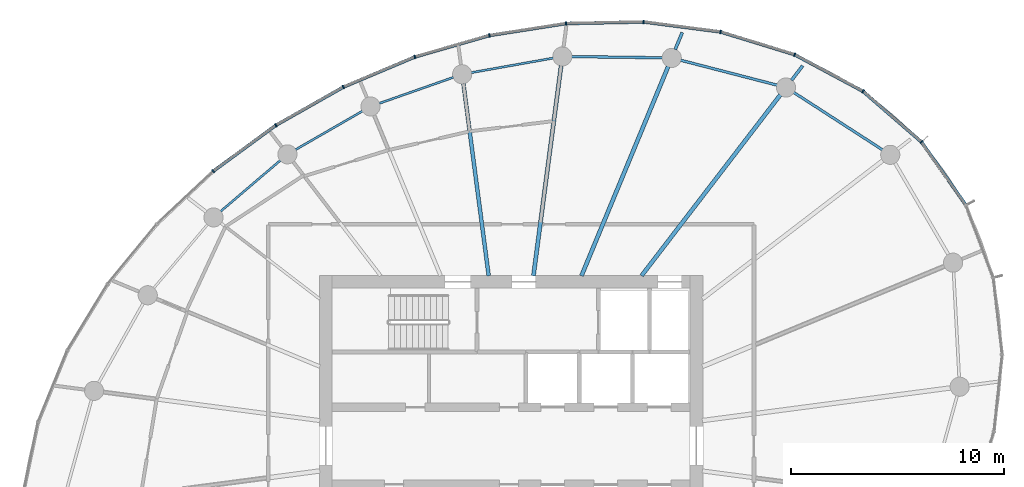
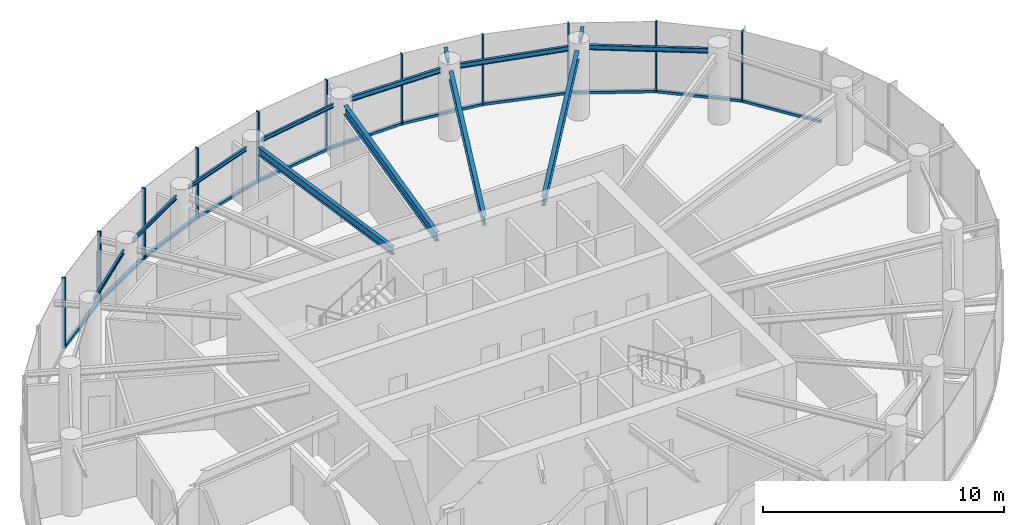
# One storey, part 6 of 13: 22 members, 13 beams, 2 elements without a shape of their own.
"""IFC4 building model written with IfcOpenShell, lengths in metres."""

from ifc_helpers import new_model, si_unit, direction, frame, origin, origin_2d, place, context, subcontext, project, spatial, rectangle, i_section, extrude, source, transform, mapped, material, layer, layer_set, material_profile, profile_set, type_object, element, aggregate, save


model = new_model("IFC4")

# Units and contexts
model_context = context("Model", 3, precision=1e-05, world=origin(), true_north=direction((0.0, 1.0)))
body_context = subcontext(model_context, "Body", "Model", "MODEL_VIEW")
ifc_project = project(units=[si_unit("LENGTHUNIT", "METRE"), si_unit("AREAUNIT", "SQUARE_METRE"), si_unit("VOLUMEUNIT", "CUBIC_METRE"), si_unit("PLANEANGLEUNIT", "RADIAN"), si_unit("MASSUNIT", "GRAM", prefix="KILO")], contexts=[model_context])

# Site, building, storey
site_placement = place(None, origin())
site = spatial("IfcSite", under=ifc_project, at=site_placement, CompositionType="ELEMENT")
building_placement = place(site_placement, origin())
building = spatial("IfcBuilding", under=site, at=building_placement, Name="Spindrift Exchange Tower", CompositionType="ELEMENT")
storey_placement = place(building_placement, frame((0.0, 0.0, 222.800048828125)))
storey = spatial("IfcBuildingStorey", under=building, at=storey_placement, Name="L54", CompositionType="ELEMENT", Elevation=222.800048828125)

# Beams
ifc_material_1 = material(Name="Steel Grade 300", Category="steel")
ifc_material_profile_1 = material_profile(ifc_material_1, i_section(OverallWidth=0.18994140625, OverallDepth=0.4541015625, WebThickness=0.008544921875, FlangeThickness=0.0126953125, FilletRadius=0.013916015625, at=origin_2d()), Name="460UB67.1")
ifc_profile_set_1 = profile_set([ifc_material_profile_1], Name="Steel Grade 300")
beam_type_1 = type_object("IfcBeamType", Name="Floor Beam 460UB67.1 Steel Grade 300", PredefinedType="BEAM", material=ifc_profile_set_1)
shared_shape_1 = source(origin(), body_context, "Body", "SweptSolid", [
    extrude(i_section(OverallWidth=0.18994140625, OverallDepth=0.4541015625, WebThickness=0.008544921875, FlangeThickness=0.0126953125, FilletRadius=0.013916015625, at=origin_2d()), origin(), (0.0, 0.0, 1.0), 10.711181640625),
])
beam_1_placement = place(storey_placement, frame((58.12646484375, 55.984130859375, 3.35302734375), z_axis=(0.608756401092, 0.793357198322, 0.0), x_axis=(-0.793357198322, 0.608756401092, 0.0)))
element("IfcBeam", 1, at=beam_1_placement, inside=storey, type_object=beam_type_1, Name="L54 radial beam R04A", PredefinedType="BEAM", context=body_context, shape_type="MappedRepresentation", body=[
    mapped(shared_shape_1, transform((0.0, 0.0, 0.0), scale=1.0)),
])
shared_shape_2 = source(origin(), body_context, "Body", "SweptSolid", [
    extrude(i_section(OverallWidth=0.18994140625, OverallDepth=0.4541015625, WebThickness=0.008544921875, FlangeThickness=0.0126953125, FilletRadius=0.013916015625, at=origin_2d()), origin(), (0.0, 0.0, 1.0), 10.64111328125),
])
beam_2_placement = place(storey_placement, frame((55.30615234375, 55.9814453125, 3.35302734375), z_axis=(0.382672627597, 0.923884007919, 0.0), x_axis=(-0.923884007919, 0.382672627597, 0.0)))
element("IfcBeam", 2, at=beam_2_placement, inside=storey, type_object=beam_type_1, Name="L54 radial beam R05A", PredefinedType="BEAM", context=body_context, shape_type="MappedRepresentation", body=[
    mapped(shared_shape_2, transform((0.0, 0.0, 0.0), scale=1.0)),
])
shared_shape_3 = source(origin(), body_context, "Body", "SweptSolid", [
    extrude(i_section(OverallWidth=0.18994140625, OverallDepth=0.4541015625, WebThickness=0.008544921875, FlangeThickness=0.0126953125, FilletRadius=0.013916015625, at=origin_2d()), origin(), (0.0, 0.0, 1.0), 9.95703125),
])
beam_3_placement = place(storey_placement, frame((53.050537109375, 55.980224609375, 3.35302734375), z_axis=(0.130541406635, 0.991442858239, 0.0), x_axis=(-0.991442858239, 0.130541406635, 0.0)))
element("IfcBeam", 3, at=beam_3_placement, inside=storey, type_object=beam_type_1, Name="L54 radial beam R06A", PredefinedType="BEAM", context=body_context, shape_type="MappedRepresentation", body=[
    mapped(shared_shape_3, transform((0.0, 0.0, 0.0), scale=1.0)),
])
ifc_material_profile_2 = material_profile(ifc_material_1, i_section(OverallWidth=0.177978515625, OverallDepth=0.403076171875, WebThickness=0.007568359375, FlangeThickness=0.010986328125, FilletRadius=0.013916015625, at=origin_2d()), Name="410UB53.7")
ifc_profile_set_2 = profile_set([ifc_material_profile_2], Name="Steel Grade 300")
beam_type_2 = type_object("IfcBeamType", Name="Floor Beam 410UB53.7 Steel Grade 300", PredefinedType="BEAM", material=ifc_profile_set_2)
shared_shape_4 = source(origin(), body_context, "Body", "SweptSolid", [
    extrude(i_section(OverallWidth=0.177978515625, OverallDepth=0.403076171875, WebThickness=0.007568359375, FlangeThickness=0.010986328125, FilletRadius=0.013916015625, at=origin_2d()), origin(), (0.0, 0.0, 1.0), 9.11376953125),
])
beam_4_placement = place(storey_placement, frame((50.949462890625, 55.980224609375, 3.37841796875), z_axis=(-0.130536972606, 0.991443442049, 0.0), x_axis=(-0.991443442049, -0.130536972606, 0.0)))
element("IfcBeam", 4, at=beam_4_placement, inside=storey, type_object=beam_type_2, Name="L54 radial beam R07A", PredefinedType="BEAM", context=body_context, shape_type="MappedRepresentation", body=[
    mapped(shared_shape_4, transform((0.0, 0.0, 0.0), scale=1.0)),
])
ifc_material_profile_3 = material_profile(ifc_material_1, i_section(OverallWidth=0.1240234375, OverallDepth=0.248046875, WebThickness=0.0048828125, FlangeThickness=0.008056640625, FilletRadius=0.011962890625, at=origin_2d()), Name="250UB25.7")
ifc_profile_set_3 = profile_set([ifc_material_profile_3], Name="Steel Grade 300")
beam_type_3 = type_object("IfcBeamType", Name="Edge Beam 250UB25.7 Steel Grade 300", PredefinedType="SPANDREL", material=ifc_profile_set_3)
shared_shape_5 = source(origin(), body_context, "Body", "SweptSolid", [
    extrude(i_section(OverallWidth=0.1240234375, OverallDepth=0.248046875, WebThickness=0.0048828125, FlangeThickness=0.008056640625, FilletRadius=0.011962890625, at=origin_2d()), origin(), (0.0, 0.0, 1.0), 4.966552734375),
])
beam_5_placement = place(storey_placement, frame((69.44091796875, 61.893310546875, 3.4560546875), z_axis=(-0.839802198579, 0.54289250065, 0.0), x_axis=(-0.54289250065, -0.839802198579, 0.0)))
element("IfcBeam", 5, at=beam_5_placement, inside=storey, type_object=beam_type_3, Name="L54 edge beam E03", PredefinedType="SPANDREL", context=body_context, shape_type="MappedRepresentation", body=[
    mapped(shared_shape_5, transform((0.0, 0.0, 0.0), scale=1.0)),
])
shared_shape_6 = source(origin(), body_context, "Body", "SweptSolid", [
    extrude(i_section(OverallWidth=0.1240234375, OverallDepth=0.248046875, WebThickness=0.0048828125, FlangeThickness=0.008056640625, FilletRadius=0.011962890625, at=origin_2d()), origin(), (0.0, 0.0, 1.0), 4.682373046875),
])
beam_6_placement = place(storey_placement, frame((64.492431640625, 64.9306640625, 3.4560546875), z_axis=(-0.968201586176, 0.250171318352, 0.0), x_axis=(-0.250171318352, -0.968201586176, 0.0)))
element("IfcBeam", 6, at=beam_6_placement, inside=storey, type_object=beam_type_3, Name="L54 edge beam E04", PredefinedType="SPANDREL", context=body_context, shape_type="MappedRepresentation", body=[
    mapped(shared_shape_6, transform((0.0, 0.0, 0.0), scale=1.0)),
])
shared_shape_7 = source(origin(), body_context, "Body", "SweptSolid", [
    extrude(i_section(OverallWidth=0.1240234375, OverallDepth=0.248046875, WebThickness=0.0048828125, FlangeThickness=0.008056640625, FilletRadius=0.011962890625, at=origin_2d()), origin(), (0.0, 0.0, 1.0), 4.27685546875),
])
beam_7_placement = place(storey_placement, frame((59.11279296875, 66.21533203125, 3.4560546875), z_axis=(-0.999910013527, 0.013415097807, 0.0), x_axis=(-0.013415097807, -0.999910013527, 0.0)))
element("IfcBeam", 7, at=beam_7_placement, inside=storey, type_object=beam_type_3, Name="L54 edge beam E05", PredefinedType="SPANDREL", context=body_context, shape_type="MappedRepresentation", body=[
    mapped(shared_shape_7, transform((0.0, 0.0, 0.0), scale=1.0)),
])
ifc_material_profile_4 = material_profile(ifc_material_1, i_section(OverallWidth=0.09912109375, OverallDepth=0.197998046875, WebThickness=0.00439453125, FlangeThickness=0.007080078125, FilletRadius=0.010986328125, at=origin_2d()), Name="200UB18.2")
ifc_profile_set_4 = profile_set([ifc_material_profile_4], Name="Steel Grade 300")
beam_type_4 = type_object("IfcBeamType", Name="Edge Beam 200UB18.2 Steel Grade 300", PredefinedType="SPANDREL", material=ifc_profile_set_4)
shared_shape_8 = source(origin(), body_context, "Body", "SweptSolid", [
    extrude(i_section(OverallWidth=0.09912109375, OverallDepth=0.197998046875, WebThickness=0.00439453125, FlangeThickness=0.007080078125, FilletRadius=0.010986328125, at=origin_2d()), origin(), (0.0, 0.0, 1.0), 3.916259765625),
])
beam_8_placement = place(storey_placement, frame((53.98291015625, 66.203125, 3.48095703125), z_axis=(-0.984558687682, -0.175054821441, 0.0), x_axis=(0.175054821441, -0.984558687682, 0.0)))
element("IfcBeam", 8, at=beam_8_placement, inside=storey, type_object=beam_type_4, Name="L54 edge beam E06", PredefinedType="SPANDREL", context=body_context, shape_type="MappedRepresentation", body=[
    mapped(shared_shape_8, transform((0.0, 0.0, 0.0), scale=1.0)),
])
shared_shape_9 = source(origin(), body_context, "Body", "SweptSolid", [
    extrude(i_section(OverallWidth=0.09912109375, OverallDepth=0.197998046875, WebThickness=0.00439453125, FlangeThickness=0.007080078125, FilletRadius=0.010986328125, at=origin_2d()), origin(), (0.0, 0.0, 1.0), 3.700439453125),
])
beam_9_placement = place(storey_placement, frame((49.298095703125, 65.300048828125, 3.48095703125), z_axis=(-0.943515334916, -0.331328858957, 0.0), x_axis=(0.331328858957, -0.943515334916, 0.0)))
element("IfcBeam", 9, at=beam_9_placement, inside=storey, type_object=beam_type_4, Name="L54 edge beam E07", PredefinedType="SPANDREL", context=body_context, shape_type="MappedRepresentation", body=[
    mapped(shared_shape_9, transform((0.0, 0.0, 0.0), scale=1.0)),
])
shared_shape_10 = source(origin(), body_context, "Body", "SweptSolid", [
    extrude(i_section(OverallWidth=0.09912109375, OverallDepth=0.197998046875, WebThickness=0.00439453125, FlangeThickness=0.007080078125, FilletRadius=0.010986328125, at=origin_2d()), origin(), (0.0, 0.0, 1.0), 3.64208984375),
])
beam_10_placement = place(storey_placement, frame((45.028564453125, 63.716552734375, 3.48095703125), z_axis=(-0.866364093123, -0.499412913476, 0.0), x_axis=(0.499412913476, -0.866364093123, 0.0)))
element("IfcBeam", 10, at=beam_10_placement, inside=storey, type_object=beam_type_4, Name="L54 edge beam E08", PredefinedType="SPANDREL", context=body_context, shape_type="MappedRepresentation", body=[
    mapped(shared_shape_10, transform((0.0, 0.0, 0.0), scale=1.0)),
])
shared_shape_11 = source(origin(), body_context, "Body", "SweptSolid", [
    extrude(i_section(OverallWidth=0.09912109375, OverallDepth=0.197998046875, WebThickness=0.00439453125, FlangeThickness=0.007080078125, FilletRadius=0.010986328125, at=origin_2d()), origin(), (0.0, 0.0, 1.0), 3.703857421875),
])
beam_11_placement = place(storey_placement, frame((41.173583984375, 61.40380859375, 3.48095703125), z_axis=(-0.7606692863, -0.64913961278, 0.0), x_axis=(0.64913961278, -0.7606692863, 0.0)))
element("IfcBeam", 11, at=beam_11_placement, inside=storey, type_object=beam_type_4, Name="L54 edge beam E09", PredefinedType="SPANDREL", context=body_context, shape_type="MappedRepresentation", body=[
    mapped(shared_shape_11, transform((0.0, 0.0, 0.0), scale=1.0)),
])
ifc_material_profile_5 = material_profile(ifc_material_1, i_section(OverallWidth=0.14599609375, OverallDepth=0.251953125, WebThickness=0.006103515625, FlangeThickness=0.008544921875, FilletRadius=0.011962890625, at=origin_2d()), Name="250UB31.4")
ifc_profile_set_5 = profile_set([ifc_material_profile_5], Name="Steel Grade 300")
beam_type_5 = type_object("IfcBeamType", Name="Cantilever Beam 250UB31.4 Steel Grade 300", PredefinedType="BEAM", material=ifc_profile_set_5)
shared_shape_12 = source(origin(), body_context, "Body", "SweptSolid", [
    extrude(i_section(OverallWidth=0.14599609375, OverallDepth=0.251953125, WebThickness=0.006103515625, FlangeThickness=0.008544921875, FilletRadius=0.011962890625, at=origin_2d()), origin(), (0.0, 0.0, 1.0), 0.853515625),
])
beam_12_placement = place(storey_placement, frame((65.170654296875, 65.164306640625, 3.453857421875), z_axis=(0.608659697441, 0.793431391307, 0.0), x_axis=(-0.793431391307, 0.608659697441, 0.0)))
element("IfcBeam", 12, at=beam_12_placement, inside=storey, type_object=beam_type_5, Name="L54 cantilever beam R04T", PredefinedType="BEAM", context=body_context, shape_type="MappedRepresentation", body=[
    mapped(shared_shape_12, transform((0.0, 0.0, 0.0), scale=1.0)),
])
shared_shape_13 = source(origin(), body_context, "Body", "SweptSolid", [
    extrude(i_section(OverallWidth=0.14599609375, OverallDepth=0.251953125, WebThickness=0.006103515625, FlangeThickness=0.008544921875, FilletRadius=0.011962890625, at=origin_2d()), origin(), (0.0, 0.0, 1.0), 0.862060546875),
])
beam_13_placement = place(storey_placement, frame((59.707275390625, 66.60693359375, 3.453857421875), z_axis=(0.382643629872, 0.923896018239, 0.0), x_axis=(-0.923896018239, 0.382643629872, 0.0)))
element("IfcBeam", 13, at=beam_13_placement, inside=storey, type_object=beam_type_5, Name="L54 cantilever beam R05T", PredefinedType="BEAM", context=body_context, shape_type="MappedRepresentation", body=[
    mapped(shared_shape_13, transform((0.0, 0.0, 0.0), scale=1.0)),
])

# Curtain wall, members
ifc_material_2 = material(Name="Fritted laminated glass with bronze frame", Category="glass")
ifc_layer = layer(ifc_material_2, 0.169921875)
ifc_layer_set = layer_set([ifc_layer], Name="ZONE 4 BRONZE FRITTED WALL")
curtain_wall_type = type_object("IfcCurtainWallType", Name="ZONE 4 BRONZE FRITTED WALL", PredefinedType="NOTDEFINED", material=ifc_layer_set)
curtain_wall_1_placement = place(storey_placement, origin())
curtain_wall_1 = element("IfcCurtainWall", 14, at=curtain_wall_1_placement, inside=storey, type_object=curtain_wall_type, Name="L54 Zone 4 Bronze Fritted Wall run 1", PredefinedType="NOTDEFINED")
ifc_material_3 = material(Name="Bronze anodised aluminium", Category="aluminium")
ifc_material_profile_6 = material_profile(ifc_material_3, rectangle(XDim=0.06494140625, YDim=0.169921875, at=origin_2d()), Name="ZONE 4 BRONZE FRITTED WALL MULLION 65X170")
ifc_profile_set_6 = profile_set([ifc_material_profile_6], Name="Bronze anodised aluminium")
member_type_1 = type_object("IfcMemberType", Name="ZONE 4 BRONZE FRITTED WALL MULLION 65X170", PredefinedType="MULLION", material=ifc_profile_set_6)
shared_shape_14 = source(origin(), body_context, "Body", "SweptSolid", [
    extrude(rectangle(XDim=0.06494140625, YDim=0.169921875, at=origin_2d()), origin(), (0.0, 0.0, 1.0), 3.579833984375),
])
member_1_placement = place(storey_placement, frame((71.26806640625, 62.26513671875, 0.0), z_axis=(0.0, 0.0, 1.0), x_axis=(-0.670610061747, 0.741810046497, 0.0)))
member_1 = element("IfcMember", 15, at=member_1_placement, type_object=member_type_1, Name="L54 mullion CW-4.2", PredefinedType="MULLION", context=body_context, shape_type="MappedRepresentation", body=[
    mapped(shared_shape_14, transform((0.0, 0.0, 0.0), scale=1.0)),
])
member_2_placement = place(storey_placement, frame((68.51904296875, 64.645751953125, 0.0), z_axis=(0.0, 0.0, 1.0), x_axis=(-0.823625712657, 0.567133745646, 0.0)))
member_2 = element("IfcMember", 16, at=member_2_placement, type_object=member_type_1, Name="L54 mullion CW-4.3", PredefinedType="MULLION", context=body_context, shape_type="MappedRepresentation", body=[
    mapped(shared_shape_14, transform((0.0, 0.0, 0.0), scale=1.0)),
])
member_3_placement = place(storey_placement, frame((65.31298828125, 66.365478515625, 0.0), z_axis=(0.0, 0.0, 1.0), x_axis=(-0.922881658106, 0.38508368588, 0.0)))
member_3 = element("IfcMember", 17, at=member_3_placement, type_object=member_type_1, Name="L54 mullion CW-4.4", PredefinedType="MULLION", context=body_context, shape_type="MappedRepresentation", body=[
    mapped(shared_shape_14, transform((0.0, 0.0, 0.0), scale=1.0)),
])
member_4_placement = place(storey_placement, frame((61.833740234375, 67.435302734375, 0.0), z_axis=(0.0, 0.0, 1.0), x_axis=(-0.977267963896, 0.212007845946, 0.0)))
member_4 = element("IfcMember", 18, at=member_4_placement, type_object=member_type_1, Name="L54 mullion CW-4.5", PredefinedType="MULLION", context=body_context, shape_type="MappedRepresentation", body=[
    mapped(shared_shape_14, transform((0.0, 0.0, 0.0), scale=1.0)),
])
member_5_placement = place(storey_placement, frame((58.222900390625, 67.903564453125, 0.0), z_axis=(0.0, 0.0, 1.0), x_axis=(-0.998526158689, 0.054272556727, 0.0)))
member_5 = element("IfcMember", 19, at=member_5_placement, type_object=member_type_1, Name="L54 mullion CW-4.6", PredefinedType="MULLION", context=body_context, shape_type="MappedRepresentation", body=[
    mapped(shared_shape_14, transform((0.0, 0.0, 0.0), scale=1.0)),
])

curtain_wall_2_placement = place(storey_placement, origin())
curtain_wall_2 = element("IfcCurtainWall", 20, at=curtain_wall_2_placement, inside=storey, type_object=curtain_wall_type, Name="L54 Zone 4 Bronze Fritted Wall run 2", PredefinedType="NOTDEFINED")
member_6_placement = place(storey_placement, frame((54.581787109375, 67.829345703125, 0.0), z_axis=(0.0, 0.0, 1.0), x_axis=(-0.996148283613, -0.087684645493, 0.0)))
member_6 = element("IfcMember", 21, at=member_6_placement, type_object=member_type_1, Name="L54 mullion CW-4.7", PredefinedType="MULLION", context=body_context, shape_type="MappedRepresentation", body=[
    mapped(shared_shape_14, transform((0.0, 0.0, 0.0), scale=1.0)),
])
member_7_placement = place(storey_placement, frame((50.983154296875, 67.266357421875, 0.0), z_axis=(0.0, 0.0, 1.0), x_axis=(-0.976415587481, -0.215899514878, 0.0)))
member_7 = element("IfcMember", 22, at=member_7_placement, type_object=member_type_1, Name="L54 mullion CW-4.8", PredefinedType="MULLION", context=body_context, shape_type="MappedRepresentation", body=[
    mapped(shared_shape_14, transform((0.0, 0.0, 0.0), scale=1.0)),
])
member_8_placement = place(storey_placement, frame((47.482421875, 66.259521484375, 0.0), z_axis=(0.0, 0.0, 1.0), x_axis=(-0.942925483914, -0.333003801459, 0.0)))
member_8 = element("IfcMember", 23, at=member_8_placement, type_object=member_type_1, Name="L54 mullion CW-4.9", PredefinedType="MULLION", context=body_context, shape_type="MappedRepresentation", body=[
    mapped(shared_shape_14, transform((0.0, 0.0, 0.0), scale=1.0)),
])
member_9_placement = place(storey_placement, frame((44.125732421875, 64.844482421875, 0.0), z_axis=(0.0, 0.0, 1.0), x_axis=(-0.897312504124, -0.441395820032, 0.0)))
member_9 = element("IfcMember", 24, at=member_9_placement, type_object=member_type_1, Name="L54 mullion CW-4.10", PredefinedType="MULLION", context=body_context, shape_type="MappedRepresentation", body=[
    mapped(shared_shape_14, transform((0.0, 0.0, 0.0), scale=1.0)),
])
member_10_placement = place(storey_placement, frame((40.9560546875, 63.049072265625, 0.0), z_axis=(0.0, 0.0, 1.0), x_axis=(-0.839745620544, -0.542980011398, 0.0)))
member_10 = element("IfcMember", 25, at=member_10_placement, type_object=member_type_1, Name="L54 mullion CW-4.11", PredefinedType="MULLION", context=body_context, shape_type="MappedRepresentation", body=[
    mapped(shared_shape_14, transform((0.0, 0.0, 0.0), scale=1.0)),
])
member_11_placement = place(storey_placement, frame((38.018310546875, 60.8955078125, 0.0), z_axis=(0.0, 0.0, 1.0), x_axis=(-0.769141074642, -0.639079030557, 0.0)))
member_11 = element("IfcMember", 26, at=member_11_placement, type_object=member_type_1, Name="L54 mullion CW-4.12", PredefinedType="MULLION", context=body_context, shape_type="MappedRepresentation", body=[
    mapped(shared_shape_14, transform((0.0, 0.0, 0.0), scale=1.0)),
])
ifc_material_profile_7 = material_profile(ifc_material_3, rectangle(XDim=0.14990234375, YDim=0.125, at=origin_2d()), Name="ZONE 4 BRONZE FRITTED WALL TRANSOM 150X125")
ifc_profile_set_7 = profile_set([ifc_material_profile_7], Name="Bronze anodised aluminium")
member_type_2 = type_object("IfcMemberType", Name="ZONE 4 BRONZE FRITTED WALL TRANSOM 150X125", PredefinedType="USERDEFINED", material=ifc_profile_set_7)
shared_shape_15 = source(origin(), body_context, "Body", "SweptSolid", [
    extrude(rectangle(XDim=0.14990234375, YDim=0.125, at=origin_2d()), origin(), (0.0, 0.0, 1.0), 3.57763671875),
])
member_12_placement = place(storey_placement, frame((50.951904296875, 67.25732421875, 0.0625), z_axis=(-0.961048687891, -0.276379122769, 0.0), x_axis=(0.276379122769, -0.961048687891, 0.0)))
member_12 = element("IfcMember", 27, at=member_12_placement, type_object=member_type_2, Name="L54 transom CW-4.8", ObjectType="TRANSOM", PredefinedType="USERDEFINED", context=body_context, shape_type="MappedRepresentation", body=[
    mapped(shared_shape_15, transform((0.0, 0.0, 0.0), scale=1.0)),
])
member_13_placement = place(storey_placement, frame((47.452392578125, 66.246826171875, 0.0625), z_axis=(-0.9214760119, -0.388435270661, 0.0), x_axis=(0.388435270661, -0.9214760119, 0.0)))
member_13 = element("IfcMember", 28, at=member_13_placement, type_object=member_type_2, Name="L54 transom CW-4.9", ObjectType="TRANSOM", PredefinedType="USERDEFINED", context=body_context, shape_type="MappedRepresentation", body=[
    mapped(shared_shape_15, transform((0.0, 0.0, 0.0), scale=1.0)),
])
member_14_placement = place(storey_placement, frame((44.097412109375, 64.828369140625, 0.0625), z_axis=(-0.870126563585, -0.4928283305, 0.0), x_axis=(0.4928283305, -0.870126563585, 0.0)))
member_14 = element("IfcMember", 29, at=member_14_placement, type_object=member_type_2, Name="L54 transom CW-4.10", ObjectType="TRANSOM", PredefinedType="USERDEFINED", context=body_context, shape_type="MappedRepresentation", body=[
    mapped(shared_shape_15, transform((0.0, 0.0, 0.0), scale=1.0)),
])
member_15_placement = place(storey_placement, frame((40.9296875, 63.02978515625, 0.0625), z_axis=(-0.806487431022, -0.591251235604, 0.0), x_axis=(0.591251235604, -0.806487431022, 0.0)))
member_15 = element("IfcMember", 30, at=member_15_placement, type_object=member_type_2, Name="L54 transom CW-4.11", ObjectType="TRANSOM", PredefinedType="USERDEFINED", context=body_context, shape_type="MappedRepresentation", body=[
    mapped(shared_shape_15, transform((0.0, 0.0, 0.0), scale=1.0)),
])

# Member
shared_shape_16 = source(origin(), body_context, "Body", "SweptSolid", [
    extrude(rectangle(XDim=0.14990234375, YDim=0.125, at=origin_2d()), origin(), (0.0, 0.0, 1.0), 3.570068359375),
])
member_16_placement = place(storey_placement, frame((73.3408203125, 59.318359375, 0.0625), z_axis=(-0.575310450208, 0.817935135497, 0.0), x_axis=(-0.817935135497, -0.575310450208, 0.0)))
member_16 = element("IfcMember", 31, at=member_16_placement, type_object=member_type_2, Name="L54 transom CW-4.1", ObjectType="TRANSOM", PredefinedType="USERDEFINED", context=body_context, shape_type="MappedRepresentation", body=[
    mapped(shared_shape_16, transform((0.0, 0.0, 0.0), scale=1.0)),
])

shared_shape_17 = source(origin(), body_context, "Body", "SweptSolid", [
    extrude(rectangle(XDim=0.14990234375, YDim=0.125, at=origin_2d()), origin(), (0.0, 0.0, 1.0), 3.577392578125),
])
member_17_placement = place(storey_placement, frame((54.5498046875, 67.82421875, 0.0625), z_axis=(-0.987981111843, -0.15457465071, 0.0), x_axis=(0.15457465071, -0.987981111843, 0.0)))
member_17 = element("IfcMember", 32, at=member_17_placement, type_object=member_type_2, Name="L54 transom CW-4.7", ObjectType="TRANSOM", PredefinedType="USERDEFINED", context=body_context, shape_type="MappedRepresentation", body=[
    mapped(shared_shape_17, transform((0.0, 0.0, 0.0), scale=1.0)),
])

aggregate(curtain_wall_2, [member_6, member_17, member_7, member_12, member_8, member_13, member_9, member_14, member_10, member_15, member_11])

shared_shape_18 = source(origin(), body_context, "Body", "SweptSolid", [
    extrude(rectangle(XDim=0.14990234375, YDim=0.125, at=origin_2d()), origin(), (0.0, 0.0, 1.0), 3.576904296875),
])
member_18_placement = place(storey_placement, frame((58.1904296875, 67.90283203125, 0.0625), z_axis=(-0.999793123535, -0.020339865566, 0.0), x_axis=(0.020339865566, -0.999793123535, 0.0)))
member_18 = element("IfcMember", 33, at=member_18_placement, type_object=member_type_2, Name="L54 transom CW-4.6", ObjectType="TRANSOM", PredefinedType="USERDEFINED", context=body_context, shape_type="MappedRepresentation", body=[
    mapped(shared_shape_18, transform((0.0, 0.0, 0.0), scale=1.0)),
])

shared_shape_19 = source(origin(), body_context, "Body", "SweptSolid", [
    extrude(rectangle(XDim=0.14990234375, YDim=0.125, at=origin_2d()), origin(), (0.0, 0.0, 1.0), 3.571533203125),
])
member_19_placement = place(storey_placement, frame((71.24365234375, 62.286376953125, 0.0625), z_axis=(-0.755941629031, 0.65463902534, 0.0), x_axis=(-0.65463902534, -0.755941629031, 0.0)))
member_19 = element("IfcMember", 34, at=member_19_placement, type_object=member_type_2, Name="L54 transom CW-4.2", ObjectType="TRANSOM", PredefinedType="USERDEFINED", context=body_context, shape_type="MappedRepresentation", body=[
    mapped(shared_shape_19, transform((0.0, 0.0, 0.0), scale=1.0)),
])

shared_shape_20 = source(origin(), body_context, "Body", "SweptSolid", [
    extrude(rectangle(XDim=0.14990234375, YDim=0.125, at=origin_2d()), origin(), (0.0, 0.0, 1.0), 3.576171875),
])
member_20_placement = place(storey_placement, frame((61.801513671875, 67.439453125, 0.0625), z_axis=(-0.991693800795, 0.128621170363, 0.0), x_axis=(-0.128621170363, -0.991693800795, 0.0)))
member_20 = element("IfcMember", 35, at=member_20_placement, type_object=member_type_2, Name="L54 transom CW-4.5", ObjectType="TRANSOM", PredefinedType="USERDEFINED", context=body_context, shape_type="MappedRepresentation", body=[
    mapped(shared_shape_20, transform((0.0, 0.0, 0.0), scale=1.0)),
])

shared_shape_21 = source(origin(), body_context, "Body", "SweptSolid", [
    extrude(rectangle(XDim=0.14990234375, YDim=0.125, at=origin_2d()), origin(), (0.0, 0.0, 1.0), 3.573486328125),
])
member_21_placement = place(storey_placement, frame((68.490478515625, 64.6611328125, 0.0625), z_axis=(-0.881213720638, 0.472718075135, 0.0), x_axis=(-0.472718075135, -0.881213720638, 0.0)))
member_21 = element("IfcMember", 36, at=member_21_placement, type_object=member_type_2, Name="L54 transom CW-4.3", ObjectType="TRANSOM", PredefinedType="USERDEFINED", context=body_context, shape_type="MappedRepresentation", body=[
    mapped(shared_shape_21, transform((0.0, 0.0, 0.0), scale=1.0)),
])

shared_shape_22 = source(origin(), body_context, "Body", "SweptSolid", [
    extrude(rectangle(XDim=0.14990234375, YDim=0.125, at=origin_2d()), origin(), (0.0, 0.0, 1.0), 3.57470703125),
])
member_22_placement = place(storey_placement, frame((65.28173828125, 66.375244140625, 0.0625), z_axis=(-0.95586461451, 0.293807485826, 0.0), x_axis=(-0.293807485826, -0.95586461451, 0.0)))
member_22 = element("IfcMember", 37, at=member_22_placement, type_object=member_type_2, Name="L54 transom CW-4.4", ObjectType="TRANSOM", PredefinedType="USERDEFINED", context=body_context, shape_type="MappedRepresentation", body=[
    mapped(shared_shape_22, transform((0.0, 0.0, 0.0), scale=1.0)),
])

aggregate(curtain_wall_1, [member_16, member_1, member_19, member_2, member_21, member_3, member_22, member_4, member_20, member_5, member_18])

save(model, "model.ifc")
